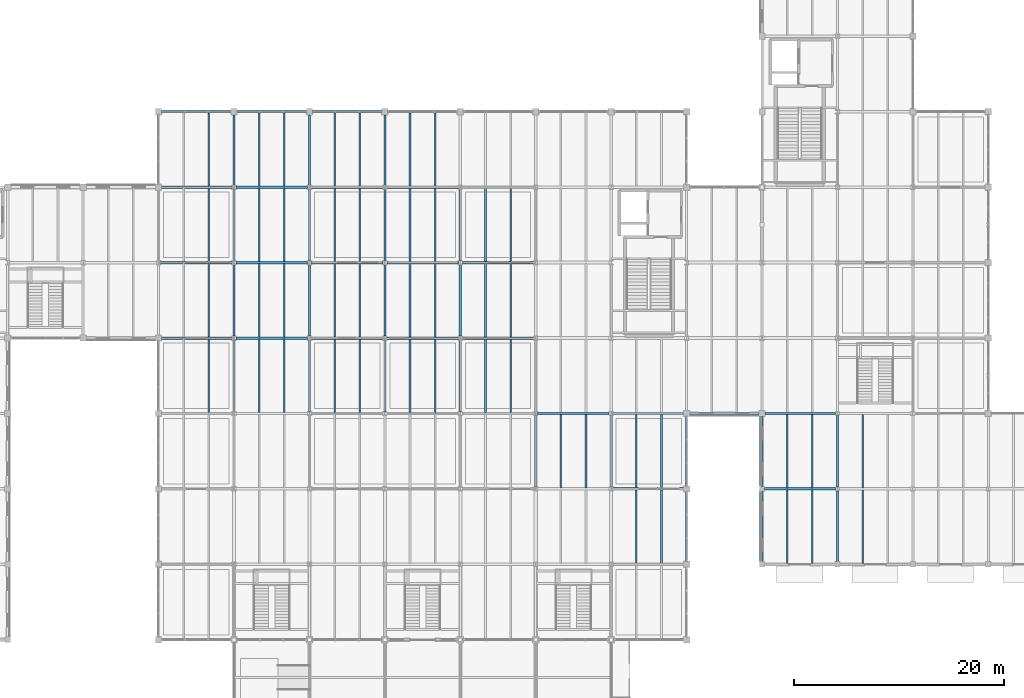
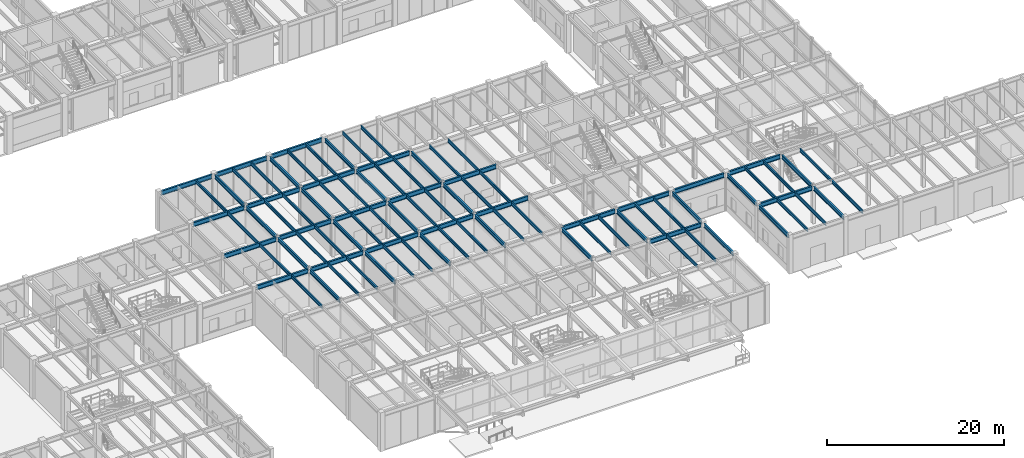
# One storey, part 22 of 97: 92 beams.
"""IFC4 building model written with IfcOpenShell, lengths in metres."""

from ifc_helpers import new_model, si_unit, direction, frame, origin, origin_2d, place, context, subcontext, project, spatial, i_section, extrude, material, material_profile, profile_set, type_object, element, save


model = new_model("IFC4")

# Units and contexts
model_context = context("Model", 3, precision=1e-05, world=origin(), true_north=direction((0.0, 1.0)))
body_context = subcontext(model_context, "Body", "Model", "MODEL_VIEW")
ifc_project = project(units=[si_unit("LENGTHUNIT", "METRE"), si_unit("AREAUNIT", "SQUARE_METRE"), si_unit("VOLUMEUNIT", "CUBIC_METRE"), si_unit("PLANEANGLEUNIT", "RADIAN"), si_unit("MASSUNIT", "GRAM", prefix="KILO")], contexts=[model_context])

# Site, building, storey
site_placement = place(None, origin())
site = spatial("IfcSite", under=ifc_project, at=site_placement, CompositionType="ELEMENT")
building_placement = place(site_placement, origin())
building = spatial("IfcBuilding", under=site, at=building_placement, Name="Sillqori Civic Hall", CompositionType="ELEMENT")
storey_placement = place(building_placement, origin())
storey = spatial("IfcBuildingStorey", under=building, at=storey_placement, Name="L01", CompositionType="ELEMENT", Elevation=0.0)

# Beams
ifc_material = material(Name="Steel ASTM A992", Category="steel")
ifc_material_profile_1 = material_profile(ifc_material, i_section(OverallWidth=0.2099609375, OverallDepth=0.532958984375, WebThickness=0.01025390625, FlangeThickness=0.015625, FilletRadius=0.013916015625, at=origin_2d()), Name="W21X62")
ifc_profile_set_1 = profile_set([ifc_material_profile_1], Name="Steel ASTM A992")
beam_type_1 = type_object("IfcBeamType", Name="BM-W21X62", PredefinedType="BEAM", material=ifc_profile_set_1)
for number, where, z_axis, x_axis, name in (
    (1, (72.0, 28.98193359375, 4.93359375), (0.0, 1.0, 0.0), (-1.0, 0.0, 0.0), "L01 girder Y 10-4"),
    (2, (72.0, 36.181884765625, 4.93359375), (0.0, 1.0, 0.0), (-1.0, 0.0, 0.0), "L01 girder Y 10-5"),
):
    element("IfcBeam", number, at=place(storey_placement, frame(where, z_axis=z_axis, x_axis=x_axis)), inside=storey, type_object=beam_type_1, Name=name, PredefinedType="BEAM", context=body_context, shape_type="SweptSolid", body=[
        extrude(i_section(OverallWidth=0.2099609375, OverallDepth=0.532958984375, WebThickness=0.01025390625, FlangeThickness=0.015625, FilletRadius=0.013916015625, at=origin_2d()), origin(), (0.0, 0.0, 1.0), 6.836181640625),
    ])
beam_1_placement = place(storey_placement, frame((72.0, 43.382080078125, 4.93359375), z_axis=(0.0, 1.0, 0.0), x_axis=(-1.0, 0.0, 0.0)))
element("IfcBeam", 3, at=beam_1_placement, inside=storey, type_object=beam_type_1, Name="L01 girder Y 10-6", PredefinedType="BEAM", context=body_context, shape_type="SweptSolid", body=[
    extrude(i_section(OverallWidth=0.2099609375, OverallDepth=0.532958984375, WebThickness=0.01025390625, FlangeThickness=0.015625, FilletRadius=0.013916015625, at=origin_2d()), origin(), (0.0, 0.0, 1.0), 6.8359375),
])
beam_2_placement = place(storey_placement, frame((72.0, 50.58203125, 4.93359375), z_axis=(0.0, 1.0, 0.0), x_axis=(-1.0, 0.0, 0.0)))
element("IfcBeam", 4, at=beam_2_placement, inside=storey, type_object=beam_type_1, Name="L01 girder Y 10-7", PredefinedType="BEAM", context=body_context, shape_type="SweptSolid", body=[
    extrude(i_section(OverallWidth=0.2099609375, OverallDepth=0.532958984375, WebThickness=0.01025390625, FlangeThickness=0.015625, FilletRadius=0.013916015625, at=origin_2d()), origin(), (0.0, 0.0, 1.0), 6.723876953125),
])
for number, where, z_axis, x_axis, name in (
    (5, (79.199951171875, 28.98193359375, 4.93359375), (0.0, 1.0, 0.0), (-1.0, 0.0, 0.0), "L01 girder Y 11-4"),
    (6, (79.199951171875, 36.181884765625, 4.93359375), (0.0, 1.0, 0.0), (-1.0, 0.0, 0.0), "L01 girder Y 11-5"),
):
    element("IfcBeam", number, at=place(storey_placement, frame(where, z_axis=z_axis, x_axis=x_axis)), inside=storey, type_object=beam_type_1, Name=name, PredefinedType="BEAM", context=body_context, shape_type="SweptSolid", body=[
        extrude(i_section(OverallWidth=0.2099609375, OverallDepth=0.532958984375, WebThickness=0.01025390625, FlangeThickness=0.015625, FilletRadius=0.013916015625, at=origin_2d()), origin(), (0.0, 0.0, 1.0), 6.836181640625),
    ])
beam_3_placement = place(storey_placement, frame((79.199951171875, 43.382080078125, 4.93359375), z_axis=(0.0, 1.0, 0.0), x_axis=(-1.0, 0.0, 0.0)))
element("IfcBeam", 7, at=beam_3_placement, inside=storey, type_object=beam_type_1, Name="L01 girder Y 11-6", PredefinedType="BEAM", context=body_context, shape_type="SweptSolid", body=[
    extrude(i_section(OverallWidth=0.2099609375, OverallDepth=0.532958984375, WebThickness=0.01025390625, FlangeThickness=0.015625, FilletRadius=0.013916015625, at=origin_2d()), origin(), (0.0, 0.0, 1.0), 6.8359375),
])
beam_4_placement = place(storey_placement, frame((79.199951171875, 50.58203125, 4.93359375), z_axis=(0.0, 1.0, 0.0), x_axis=(-1.0, 0.0, 0.0)))
element("IfcBeam", 8, at=beam_4_placement, inside=storey, type_object=beam_type_1, Name="L01 girder Y 11-7", PredefinedType="BEAM", context=body_context, shape_type="SweptSolid", body=[
    extrude(i_section(OverallWidth=0.2099609375, OverallDepth=0.532958984375, WebThickness=0.01025390625, FlangeThickness=0.015625, FilletRadius=0.013916015625, at=origin_2d()), origin(), (0.0, 0.0, 1.0), 6.723876953125),
])
for number, where, z_axis, x_axis, name in (
    (9, (86.39990234375, 28.98193359375, 4.93359375), (0.0, 1.0, 0.0), (-1.0, 0.0, 0.0), "L01 girder Y 12-4"),
    (10, (86.39990234375, 36.181884765625, 4.93359375), (0.0, 1.0, 0.0), (-1.0, 0.0, 0.0), "L01 girder Y 12-5"),
):
    element("IfcBeam", number, at=place(storey_placement, frame(where, z_axis=z_axis, x_axis=x_axis)), inside=storey, type_object=beam_type_1, Name=name, PredefinedType="BEAM", context=body_context, shape_type="SweptSolid", body=[
        extrude(i_section(OverallWidth=0.2099609375, OverallDepth=0.532958984375, WebThickness=0.01025390625, FlangeThickness=0.015625, FilletRadius=0.013916015625, at=origin_2d()), origin(), (0.0, 0.0, 1.0), 6.836181640625),
    ])
beam_5_placement = place(storey_placement, frame((86.39990234375, 43.382080078125, 4.93359375), z_axis=(0.0, 1.0, 0.0), x_axis=(-1.0, 0.0, 0.0)))
element("IfcBeam", 11, at=beam_5_placement, inside=storey, type_object=beam_type_1, Name="L01 girder Y 12-6", PredefinedType="BEAM", context=body_context, shape_type="SweptSolid", body=[
    extrude(i_section(OverallWidth=0.2099609375, OverallDepth=0.532958984375, WebThickness=0.01025390625, FlangeThickness=0.015625, FilletRadius=0.013916015625, at=origin_2d()), origin(), (0.0, 0.0, 1.0), 6.8359375),
])
beam_6_placement = place(storey_placement, frame((86.39990234375, 50.58203125, 4.93359375), z_axis=(0.0, 1.0, 0.0), x_axis=(-1.0, 0.0, 0.0)))
element("IfcBeam", 12, at=beam_6_placement, inside=storey, type_object=beam_type_1, Name="L01 girder Y 12-7", PredefinedType="BEAM", context=body_context, shape_type="SweptSolid", body=[
    extrude(i_section(OverallWidth=0.2099609375, OverallDepth=0.532958984375, WebThickness=0.01025390625, FlangeThickness=0.015625, FilletRadius=0.013916015625, at=origin_2d()), origin(), (0.0, 0.0, 1.0), 6.723876953125),
])
for number, where, z_axis, x_axis, name in (
    (13, (93.60009765625, 28.98193359375, 4.93359375), (0.0, 1.0, 0.0), (-1.0, 0.0, 0.0), "L01 girder Y 13-4"),
    (14, (93.60009765625, 36.181884765625, 4.93359375), (0.0, 1.0, 0.0), (-1.0, 0.0, 0.0), "L01 girder Y 13-5"),
):
    element("IfcBeam", number, at=place(storey_placement, frame(where, z_axis=z_axis, x_axis=x_axis)), inside=storey, type_object=beam_type_1, Name=name, PredefinedType="BEAM", context=body_context, shape_type="SweptSolid", body=[
        extrude(i_section(OverallWidth=0.2099609375, OverallDepth=0.532958984375, WebThickness=0.01025390625, FlangeThickness=0.015625, FilletRadius=0.013916015625, at=origin_2d()), origin(), (0.0, 0.0, 1.0), 6.836181640625),
    ])
for number, where, z_axis, x_axis, name in (
    (15, (93.60009765625, 43.382080078125, 4.93359375), (0.0, 1.0, 0.0), (-1.0, 0.0, 0.0), "L01 girder Y 13-6"),
    (16, (100.800048828125, 21.781982421875, 4.93359375), (0.0, 1.0, 0.0), (-1.0, 0.0, 0.0), "L01 girder Y 14-3"),
    (17, (108.0, 21.781982421875, 4.93359375), (0.0, 1.0, 0.0), (-1.0, 0.0, 0.0), "L01 girder Y 15-3"),
):
    element("IfcBeam", number, at=place(storey_placement, frame(where, z_axis=z_axis, x_axis=x_axis)), inside=storey, type_object=beam_type_1, Name=name, PredefinedType="BEAM", context=body_context, shape_type="SweptSolid", body=[
        extrude(i_section(OverallWidth=0.2099609375, OverallDepth=0.532958984375, WebThickness=0.01025390625, FlangeThickness=0.015625, FilletRadius=0.013916015625, at=origin_2d()), origin(), (0.0, 0.0, 1.0), 6.8359375),
    ])
beam_7_placement = place(storey_placement, frame((115.199951171875, 14.694091796875, 4.93359375), z_axis=(0.0, 1.0, 0.0), x_axis=(-1.0, 0.0, 0.0)))
element("IfcBeam", 18, at=beam_7_placement, inside=storey, type_object=beam_type_1, Name="L01 girder Y 16-2", PredefinedType="BEAM", context=body_context, shape_type="SweptSolid", body=[
    extrude(i_section(OverallWidth=0.2099609375, OverallDepth=0.532958984375, WebThickness=0.01025390625, FlangeThickness=0.015625, FilletRadius=0.013916015625, at=origin_2d()), origin(), (0.0, 0.0, 1.0), 6.61181640625),
])
beam_8_placement = place(storey_placement, frame((115.199951171875, 21.89404296875, 4.93359375), z_axis=(0.0, 1.0, 0.0), x_axis=(-1.0, 0.0, 0.0)))
element("IfcBeam", 19, at=beam_8_placement, inside=storey, type_object=beam_type_1, Name="L01 girder Y 16-3", PredefinedType="BEAM", context=body_context, shape_type="SweptSolid", body=[
    extrude(i_section(OverallWidth=0.2099609375, OverallDepth=0.532958984375, WebThickness=0.01025390625, FlangeThickness=0.015625, FilletRadius=0.013916015625, at=origin_2d()), origin(), (0.0, 0.0, 1.0), 6.612060546875),
])
beam_9_placement = place(storey_placement, frame((122.39990234375, 14.64404296875, 4.93359375), z_axis=(0.0, 1.0, 0.0), x_axis=(-1.0, 0.0, 0.0)))
element("IfcBeam", 20, at=beam_9_placement, inside=storey, type_object=beam_type_1, Name="L01 girder Y 17-2", PredefinedType="BEAM", context=body_context, shape_type="SweptSolid", body=[
    extrude(i_section(OverallWidth=0.2099609375, OverallDepth=0.532958984375, WebThickness=0.01025390625, FlangeThickness=0.015625, FilletRadius=0.013916015625, at=origin_2d()), origin(), (0.0, 0.0, 1.0), 6.7119140625),
])
beam_10_placement = place(storey_placement, frame((122.39990234375, 21.843994140625, 4.93359375), z_axis=(0.0, 1.0, 0.0), x_axis=(-1.0, 0.0, 0.0)))
element("IfcBeam", 21, at=beam_10_placement, inside=storey, type_object=beam_type_1, Name="L01 girder Y 17-3", PredefinedType="BEAM", context=body_context, shape_type="SweptSolid", body=[
    extrude(i_section(OverallWidth=0.2099609375, OverallDepth=0.532958984375, WebThickness=0.01025390625, FlangeThickness=0.015625, FilletRadius=0.013916015625, at=origin_2d()), origin(), (0.0, 0.0, 1.0), 6.662109375),
])
beam_11_placement = place(storey_placement, frame((129.60009765625, 14.64404296875, 4.93359375), z_axis=(0.0, 1.0, 0.0), x_axis=(-1.0, 0.0, 0.0)))
element("IfcBeam", 22, at=beam_11_placement, inside=storey, type_object=beam_type_1, Name="L01 girder Y 18-2", PredefinedType="BEAM", context=body_context, shape_type="SweptSolid", body=[
    extrude(i_section(OverallWidth=0.2099609375, OverallDepth=0.532958984375, WebThickness=0.01025390625, FlangeThickness=0.015625, FilletRadius=0.013916015625, at=origin_2d()), origin(), (0.0, 0.0, 1.0), 6.781494140625),
])
beam_12_placement = place(storey_placement, frame((129.60009765625, 21.7744140625, 4.93359375), z_axis=(0.0, 1.0, 0.0), x_axis=(-1.0, 0.0, 0.0)))
element("IfcBeam", 23, at=beam_12_placement, inside=storey, type_object=beam_type_1, Name="L01 girder Y 18-3", PredefinedType="BEAM", context=body_context, shape_type="SweptSolid", body=[
    extrude(i_section(OverallWidth=0.2099609375, OverallDepth=0.532958984375, WebThickness=0.01025390625, FlangeThickness=0.015625, FilletRadius=0.013916015625, at=origin_2d()), origin(), (0.0, 0.0, 1.0), 6.84765625),
])
ifc_material_profile_2 = material_profile(ifc_material, i_section(OverallWidth=0.22802734375, OverallDepth=0.60205078125, WebThickness=0.010498046875, FlangeThickness=0.014892578125, FilletRadius=0.014892578125, at=origin_2d()), Name="W24X68")
ifc_profile_set_2 = profile_set([ifc_material_profile_2], Name="Steel ASTM A992")
beam_type_2 = type_object("IfcBeamType", Name="BM-W24X68", PredefinedType="BEAM", material=ifc_profile_set_2)
beam_13_placement = place(storey_placement, frame((65.093994140625, 36.0, 4.89892578125), z_axis=(1.0, 0.0, 0.0), x_axis=(0.0, 1.0, 0.0)))
element("IfcBeam", 24, at=beam_13_placement, inside=storey, type_object=beam_type_2, Name="L01 girder X 9-5", PredefinedType="BEAM", context=body_context, shape_type="SweptSolid", body=[
    extrude(i_section(OverallWidth=0.22802734375, OverallDepth=0.60205078125, WebThickness=0.010498046875, FlangeThickness=0.014892578125, FilletRadius=0.014892578125, at=origin_2d()), origin(), (0.0, 0.0, 1.0), 6.715087890625),
])
beam_14_placement = place(storey_placement, frame((64.990966796875, 43.199951171875, 4.89892578125), z_axis=(1.0, 0.0, 0.0), x_axis=(0.0, 1.0, 0.0)))
element("IfcBeam", 25, at=beam_14_placement, inside=storey, type_object=beam_type_2, Name="L01 girder X 9-6", PredefinedType="BEAM", context=body_context, shape_type="SweptSolid", body=[
    extrude(i_section(OverallWidth=0.22802734375, OverallDepth=0.60205078125, WebThickness=0.010498046875, FlangeThickness=0.014892578125, FilletRadius=0.014892578125, at=origin_2d()), origin(), (0.0, 0.0, 1.0), 6.818115234375),
])
beam_15_placement = place(storey_placement, frame((65.093994140625, 50.39990234375, 4.89892578125), z_axis=(1.0, 0.0, 0.0), x_axis=(0.0, 1.0, 0.0)))
element("IfcBeam", 26, at=beam_15_placement, inside=storey, type_object=beam_type_2, Name="L01 girder X 9-7", PredefinedType="BEAM", context=body_context, shape_type="SweptSolid", body=[
    extrude(i_section(OverallWidth=0.22802734375, OverallDepth=0.60205078125, WebThickness=0.010498046875, FlangeThickness=0.014892578125, FilletRadius=0.014892578125, at=origin_2d()), origin(), (0.0, 0.0, 1.0), 6.715087890625),
])
beam_16_placement = place(storey_placement, frame((65.093994140625, 57.60009765625, 4.89892578125), z_axis=(1.0, 0.0, 0.0), x_axis=(0.0, 1.0, 0.0)))
element("IfcBeam", 27, at=beam_16_placement, inside=storey, type_object=beam_type_2, Name="L01 girder X 9-8", PredefinedType="BEAM", context=body_context, shape_type="SweptSolid", body=[
    extrude(i_section(OverallWidth=0.22802734375, OverallDepth=0.60205078125, WebThickness=0.010498046875, FlangeThickness=0.014892578125, FilletRadius=0.014892578125, at=origin_2d()), origin(), (0.0, 0.0, 1.0), 6.612060546875),
])
for number, where, z_axis, x_axis, name in (
    (28, (72.19091796875, 36.0, 4.89892578125), (1.0, 0.0, 0.0), (0.0, 1.0, 0.0), "L01 girder X 10-5"),
    (29, (72.19091796875, 43.199951171875, 4.89892578125), (1.0, 0.0, 0.0), (0.0, 1.0, 0.0), "L01 girder X 10-6"),
    (30, (72.19091796875, 50.39990234375, 4.89892578125), (1.0, 0.0, 0.0), (0.0, 1.0, 0.0), "L01 girder X 10-7"),
):
    element("IfcBeam", number, at=place(storey_placement, frame(where, z_axis=z_axis, x_axis=x_axis)), inside=storey, type_object=beam_type_2, Name=name, PredefinedType="BEAM", context=body_context, shape_type="SweptSolid", body=[
        extrude(i_section(OverallWidth=0.22802734375, OverallDepth=0.60205078125, WebThickness=0.010498046875, FlangeThickness=0.014892578125, FilletRadius=0.014892578125, at=origin_2d()), origin(), (0.0, 0.0, 1.0), 6.818115234375),
    ])
beam_17_placement = place(storey_placement, frame((72.2939453125, 57.60009765625, 4.89892578125), z_axis=(1.0, 0.0, 0.0), x_axis=(0.0, 1.0, 0.0)))
element("IfcBeam", 31, at=beam_17_placement, inside=storey, type_object=beam_type_2, Name="L01 girder X 10-8", PredefinedType="BEAM", context=body_context, shape_type="SweptSolid", body=[
    extrude(i_section(OverallWidth=0.22802734375, OverallDepth=0.60205078125, WebThickness=0.010498046875, FlangeThickness=0.014892578125, FilletRadius=0.014892578125, at=origin_2d()), origin(), (0.0, 0.0, 1.0), 6.612060546875),
])
for number, where, z_axis, x_axis, name in (
    (32, (79.39111328125, 36.0, 4.89892578125), (1.0, 0.0, 0.0), (0.0, 1.0, 0.0), "L01 girder X 11-5"),
    (33, (79.39111328125, 43.199951171875, 4.89892578125), (1.0, 0.0, 0.0), (0.0, 1.0, 0.0), "L01 girder X 11-6"),
    (34, (79.39111328125, 50.39990234375, 4.89892578125), (1.0, 0.0, 0.0), (0.0, 1.0, 0.0), "L01 girder X 11-7"),
):
    element("IfcBeam", number, at=place(storey_placement, frame(where, z_axis=z_axis, x_axis=x_axis)), inside=storey, type_object=beam_type_2, Name=name, PredefinedType="BEAM", context=body_context, shape_type="SweptSolid", body=[
        extrude(i_section(OverallWidth=0.22802734375, OverallDepth=0.60205078125, WebThickness=0.010498046875, FlangeThickness=0.014892578125, FilletRadius=0.014892578125, at=origin_2d()), origin(), (0.0, 0.0, 1.0), 6.81787109375),
    ])
beam_18_placement = place(storey_placement, frame((79.493896484375, 57.60009765625, 4.89892578125), z_axis=(1.0, 0.0, 0.0), x_axis=(0.0, 1.0, 0.0)))
element("IfcBeam", 35, at=beam_18_placement, inside=storey, type_object=beam_type_2, Name="L01 girder X 11-8", PredefinedType="BEAM", context=body_context, shape_type="SweptSolid", body=[
    extrude(i_section(OverallWidth=0.22802734375, OverallDepth=0.60205078125, WebThickness=0.010498046875, FlangeThickness=0.014892578125, FilletRadius=0.014892578125, at=origin_2d()), origin(), (0.0, 0.0, 1.0), 6.612060546875),
])
for number, where, z_axis, x_axis, name in (
    (36, (86.591064453125, 36.0, 4.89892578125), (1.0, 0.0, 0.0), (0.0, 1.0, 0.0), "L01 girder X 12-5"),
    (37, (86.591064453125, 43.199951171875, 4.89892578125), (1.0, 0.0, 0.0), (0.0, 1.0, 0.0), "L01 girder X 12-6"),
    (38, (86.591064453125, 50.39990234375, 4.89892578125), (1.0, 0.0, 0.0), (0.0, 1.0, 0.0), "L01 girder X 12-7"),
    (39, (93.791015625, 36.0, 4.89892578125), (1.0, 0.0, 0.0), (0.0, 1.0, 0.0), "L01 girder X 13-5"),
    (40, (93.791015625, 43.199951171875, 4.89892578125), (1.0, 0.0, 0.0), (0.0, 1.0, 0.0), "L01 girder X 13-6"),
):
    element("IfcBeam", number, at=place(storey_placement, frame(where, z_axis=z_axis, x_axis=x_axis)), inside=storey, type_object=beam_type_2, Name=name, PredefinedType="BEAM", context=body_context, shape_type="SweptSolid", body=[
        extrude(i_section(OverallWidth=0.22802734375, OverallDepth=0.60205078125, WebThickness=0.010498046875, FlangeThickness=0.014892578125, FilletRadius=0.014892578125, at=origin_2d()), origin(), (0.0, 0.0, 1.0), 6.81787109375),
    ])
beam_19_placement = place(storey_placement, frame((100.990966796875, 28.800048828125, 4.89892578125), z_axis=(1.0, 0.0, 0.0), x_axis=(0.0, 1.0, 0.0)))
element("IfcBeam", 41, at=beam_19_placement, inside=storey, type_object=beam_type_2, Name="L01 girder X 14-4", PredefinedType="BEAM", context=body_context, shape_type="SweptSolid", body=[
    extrude(i_section(OverallWidth=0.22802734375, OverallDepth=0.60205078125, WebThickness=0.010498046875, FlangeThickness=0.014892578125, FilletRadius=0.014892578125, at=origin_2d()), origin(), (0.0, 0.0, 1.0), 6.818115234375),
])
for number, where, z_axis, x_axis, name in (
    (42, (108.19091796875, 21.60009765625, 4.89892578125), (1.0, 0.0, 0.0), (0.0, 1.0, 0.0), "L01 girder X 15-3"),
    (43, (108.19091796875, 28.800048828125, 4.89892578125), (1.0, 0.0, 0.0), (0.0, 1.0, 0.0), "L01 girder X 15-4"),
):
    element("IfcBeam", number, at=place(storey_placement, frame(where, z_axis=z_axis, x_axis=x_axis)), inside=storey, type_object=beam_type_2, Name=name, PredefinedType="BEAM", context=body_context, shape_type="SweptSolid", body=[
        extrude(i_section(OverallWidth=0.22802734375, OverallDepth=0.60205078125, WebThickness=0.010498046875, FlangeThickness=0.014892578125, FilletRadius=0.014892578125, at=origin_2d()), origin(), (0.0, 0.0, 1.0), 6.715087890625),
    ])
beam_20_placement = place(storey_placement, frame((115.493896484375, 28.800048828125, 4.89892578125), z_axis=(1.0, 0.0, 0.0), x_axis=(0.0, 1.0, 0.0)))
element("IfcBeam", 44, at=beam_20_placement, inside=storey, type_object=beam_type_2, Name="L01 girder X 16-4", PredefinedType="BEAM", context=body_context, shape_type="SweptSolid", body=[
    extrude(i_section(OverallWidth=0.22802734375, OverallDepth=0.60205078125, WebThickness=0.010498046875, FlangeThickness=0.014892578125, FilletRadius=0.014892578125, at=origin_2d()), origin(), (0.0, 0.0, 1.0), 6.612060546875),
])
beam_21_placement = place(storey_placement, frame((122.64404296875, 21.60009765625, 4.89892578125), z_axis=(1.0, 0.0, 0.0), x_axis=(0.0, 1.0, 0.0)))
element("IfcBeam", 45, at=beam_21_placement, inside=storey, type_object=beam_type_2, Name="L01 girder X 17-3", PredefinedType="BEAM", context=body_context, shape_type="SweptSolid", body=[
    extrude(i_section(OverallWidth=0.22802734375, OverallDepth=0.60205078125, WebThickness=0.010498046875, FlangeThickness=0.014892578125, FilletRadius=0.014892578125, at=origin_2d()), origin(), (0.0, 0.0, 1.0), 6.7763671875),
])
beam_22_placement = place(storey_placement, frame((122.694091796875, 28.800048828125, 4.89892578125), z_axis=(1.0, 0.0, 0.0), x_axis=(0.0, 1.0, 0.0)))
element("IfcBeam", 46, at=beam_22_placement, inside=storey, type_object=beam_type_2, Name="L01 girder X 17-4", PredefinedType="BEAM", context=body_context, shape_type="SweptSolid", body=[
    extrude(i_section(OverallWidth=0.22802734375, OverallDepth=0.60205078125, WebThickness=0.010498046875, FlangeThickness=0.014892578125, FilletRadius=0.014892578125, at=origin_2d()), origin(), (0.0, 0.0, 1.0), 6.725341796875),
])
ifc_material_profile_3 = material_profile(ifc_material, i_section(OverallWidth=0.153076171875, OverallDepth=0.455078125, WebThickness=0.008056640625, FlangeThickness=0.01318359375, FilletRadius=0.012939453125, at=origin_2d()), Name="W18X40")
ifc_profile_set_3 = profile_set([ifc_material_profile_3], Name="Steel ASTM A992")
beam_type_3 = type_object("IfcBeamType", Name="JS-W18X40", PredefinedType="JOIST", material=ifc_profile_set_3)
for number, where, z_axis, x_axis, name in (
    (47, (69.60009765625, 28.89501953125, 4.972412109375), (0.0, 1.0, 0.0), (-1.0, 0.0, 0.0), "L01 composite joist 9-4.2"),
    (48, (69.60009765625, 36.094970703125, 4.972412109375), (0.0, 1.0, 0.0), (-1.0, 0.0, 0.0), "L01 composite joist 9-5.2"),
    (49, (69.60009765625, 43.294921875, 4.972412109375), (0.0, 1.0, 0.0), (-1.0, 0.0, 0.0), "L01 composite joist 9-6.2"),
):
    element("IfcBeam", number, at=place(storey_placement, frame(where, z_axis=z_axis, x_axis=x_axis)), inside=storey, type_object=beam_type_3, Name=name, PredefinedType="JOIST", context=body_context, shape_type="SweptSolid", body=[
        extrude(i_section(OverallWidth=0.153076171875, OverallDepth=0.455078125, WebThickness=0.008056640625, FlangeThickness=0.01318359375, FilletRadius=0.012939453125, at=origin_2d()), origin(), (0.0, 0.0, 1.0), 7.010009765625),
    ])
beam_23_placement = place(storey_placement, frame((69.60009765625, 50.4951171875, 4.972412109375), z_axis=(0.0, 1.0, 0.0), x_axis=(-1.0, 0.0, 0.0)))
element("IfcBeam", 50, at=beam_23_placement, inside=storey, type_object=beam_type_3, Name="L01 composite joist 9-7.2", PredefinedType="JOIST", context=body_context, shape_type="SweptSolid", body=[
    extrude(i_section(OverallWidth=0.153076171875, OverallDepth=0.455078125, WebThickness=0.008056640625, FlangeThickness=0.01318359375, FilletRadius=0.012939453125, at=origin_2d()), origin(), (0.0, 0.0, 1.0), 7.009765625),
])
for number, where, z_axis, x_axis, name in (
    (51, (74.39990234375, 28.89501953125, 4.972412109375), (0.0, 1.0, 0.0), (-1.0, 0.0, 0.0), "L01 composite joist 10-4.1"),
    (52, (76.800048828125, 28.89501953125, 4.972412109375), (0.0, 1.0, 0.0), (-1.0, 0.0, 0.0), "L01 composite joist 10-4.2"),
    (53, (74.39990234375, 36.094970703125, 4.972412109375), (0.0, 1.0, 0.0), (-1.0, 0.0, 0.0), "L01 composite joist 10-5.1"),
    (54, (76.800048828125, 36.094970703125, 4.972412109375), (0.0, 1.0, 0.0), (-1.0, 0.0, 0.0), "L01 composite joist 10-5.2"),
    (55, (74.39990234375, 43.294921875, 4.972412109375), (0.0, 1.0, 0.0), (-1.0, 0.0, 0.0), "L01 composite joist 10-6.1"),
    (56, (76.800048828125, 43.294921875, 4.972412109375), (0.0, 1.0, 0.0), (-1.0, 0.0, 0.0), "L01 composite joist 10-6.2"),
):
    element("IfcBeam", number, at=place(storey_placement, frame(where, z_axis=z_axis, x_axis=x_axis)), inside=storey, type_object=beam_type_3, Name=name, PredefinedType="JOIST", context=body_context, shape_type="SweptSolid", body=[
        extrude(i_section(OverallWidth=0.153076171875, OverallDepth=0.455078125, WebThickness=0.008056640625, FlangeThickness=0.01318359375, FilletRadius=0.012939453125, at=origin_2d()), origin(), (0.0, 0.0, 1.0), 7.010009765625),
    ])
for number, where, z_axis, x_axis, name in (
    (57, (74.39990234375, 50.4951171875, 4.972412109375), (0.0, 1.0, 0.0), (-1.0, 0.0, 0.0), "L01 composite joist 10-7.1"),
    (58, (76.800048828125, 50.4951171875, 4.972412109375), (0.0, 1.0, 0.0), (-1.0, 0.0, 0.0), "L01 composite joist 10-7.2"),
):
    element("IfcBeam", number, at=place(storey_placement, frame(where, z_axis=z_axis, x_axis=x_axis)), inside=storey, type_object=beam_type_3, Name=name, PredefinedType="JOIST", context=body_context, shape_type="SweptSolid", body=[
        extrude(i_section(OverallWidth=0.153076171875, OverallDepth=0.455078125, WebThickness=0.008056640625, FlangeThickness=0.01318359375, FilletRadius=0.012939453125, at=origin_2d()), origin(), (0.0, 0.0, 1.0), 7.009765625),
    ])
for number, where, z_axis, x_axis, name in (
    (59, (81.60009765625, 28.89501953125, 4.972412109375), (0.0, 1.0, 0.0), (-1.0, 0.0, 0.0), "L01 composite joist 11-4.1"),
    (60, (84.0, 28.89501953125, 4.972412109375), (0.0, 1.0, 0.0), (-1.0, 0.0, 0.0), "L01 composite joist 11-4.2"),
    (61, (81.60009765625, 36.094970703125, 4.972412109375), (0.0, 1.0, 0.0), (-1.0, 0.0, 0.0), "L01 composite joist 11-5.1"),
    (62, (84.0, 36.094970703125, 4.972412109375), (0.0, 1.0, 0.0), (-1.0, 0.0, 0.0), "L01 composite joist 11-5.2"),
    (63, (81.60009765625, 43.294921875, 4.972412109375), (0.0, 1.0, 0.0), (-1.0, 0.0, 0.0), "L01 composite joist 11-6.1"),
    (64, (84.0, 43.294921875, 4.972412109375), (0.0, 1.0, 0.0), (-1.0, 0.0, 0.0), "L01 composite joist 11-6.2"),
):
    element("IfcBeam", number, at=place(storey_placement, frame(where, z_axis=z_axis, x_axis=x_axis)), inside=storey, type_object=beam_type_3, Name=name, PredefinedType="JOIST", context=body_context, shape_type="SweptSolid", body=[
        extrude(i_section(OverallWidth=0.153076171875, OverallDepth=0.455078125, WebThickness=0.008056640625, FlangeThickness=0.01318359375, FilletRadius=0.012939453125, at=origin_2d()), origin(), (0.0, 0.0, 1.0), 7.010009765625),
    ])
for number, where, z_axis, x_axis, name in (
    (65, (81.60009765625, 50.4951171875, 4.972412109375), (0.0, 1.0, 0.0), (-1.0, 0.0, 0.0), "L01 composite joist 11-7.1"),
    (66, (84.0, 50.4951171875, 4.972412109375), (0.0, 1.0, 0.0), (-1.0, 0.0, 0.0), "L01 composite joist 11-7.2"),
):
    element("IfcBeam", number, at=place(storey_placement, frame(where, z_axis=z_axis, x_axis=x_axis)), inside=storey, type_object=beam_type_3, Name=name, PredefinedType="JOIST", context=body_context, shape_type="SweptSolid", body=[
        extrude(i_section(OverallWidth=0.153076171875, OverallDepth=0.455078125, WebThickness=0.008056640625, FlangeThickness=0.01318359375, FilletRadius=0.012939453125, at=origin_2d()), origin(), (0.0, 0.0, 1.0), 7.009765625),
    ])
for number, where, z_axis, x_axis, name in (
    (67, (88.800048828125, 28.89501953125, 4.972412109375), (0.0, 1.0, 0.0), (-1.0, 0.0, 0.0), "L01 composite joist 12-4.1"),
    (68, (91.199951171875, 28.89501953125, 4.972412109375), (0.0, 1.0, 0.0), (-1.0, 0.0, 0.0), "L01 composite joist 12-4.2"),
    (69, (88.800048828125, 36.094970703125, 4.972412109375), (0.0, 1.0, 0.0), (-1.0, 0.0, 0.0), "L01 composite joist 12-5.1"),
    (70, (91.199951171875, 36.094970703125, 4.972412109375), (0.0, 1.0, 0.0), (-1.0, 0.0, 0.0), "L01 composite joist 12-5.2"),
    (71, (88.800048828125, 43.294921875, 4.972412109375), (0.0, 1.0, 0.0), (-1.0, 0.0, 0.0), "L01 composite joist 12-6.1"),
    (72, (91.199951171875, 43.294921875, 4.972412109375), (0.0, 1.0, 0.0), (-1.0, 0.0, 0.0), "L01 composite joist 12-6.2"),
):
    element("IfcBeam", number, at=place(storey_placement, frame(where, z_axis=z_axis, x_axis=x_axis)), inside=storey, type_object=beam_type_3, Name=name, PredefinedType="JOIST", context=body_context, shape_type="SweptSolid", body=[
        extrude(i_section(OverallWidth=0.153076171875, OverallDepth=0.455078125, WebThickness=0.008056640625, FlangeThickness=0.01318359375, FilletRadius=0.012939453125, at=origin_2d()), origin(), (0.0, 0.0, 1.0), 7.010009765625),
    ])
for number, where, z_axis, x_axis, name in (
    (73, (88.800048828125, 50.4951171875, 4.972412109375), (0.0, 1.0, 0.0), (-1.0, 0.0, 0.0), "L01 composite joist 12-7.1"),
    (74, (91.199951171875, 50.4951171875, 4.972412109375), (0.0, 1.0, 0.0), (-1.0, 0.0, 0.0), "L01 composite joist 12-7.2"),
):
    element("IfcBeam", number, at=place(storey_placement, frame(where, z_axis=z_axis, x_axis=x_axis)), inside=storey, type_object=beam_type_3, Name=name, PredefinedType="JOIST", context=body_context, shape_type="SweptSolid", body=[
        extrude(i_section(OverallWidth=0.153076171875, OverallDepth=0.455078125, WebThickness=0.008056640625, FlangeThickness=0.01318359375, FilletRadius=0.012939453125, at=origin_2d()), origin(), (0.0, 0.0, 1.0), 7.009765625),
    ])
for number, where, z_axis, x_axis, name in (
    (75, (96.0, 28.89501953125, 4.972412109375), (0.0, 1.0, 0.0), (-1.0, 0.0, 0.0), "L01 composite joist 13-4.1"),
    (76, (98.39990234375, 28.89501953125, 4.972412109375), (0.0, 1.0, 0.0), (-1.0, 0.0, 0.0), "L01 composite joist 13-4.2"),
    (77, (96.0, 36.094970703125, 4.972412109375), (0.0, 1.0, 0.0), (-1.0, 0.0, 0.0), "L01 composite joist 13-5.1"),
    (78, (98.39990234375, 36.094970703125, 4.972412109375), (0.0, 1.0, 0.0), (-1.0, 0.0, 0.0), "L01 composite joist 13-5.2"),
    (79, (96.0, 43.294921875, 4.972412109375), (0.0, 1.0, 0.0), (-1.0, 0.0, 0.0), "L01 composite joist 13-6.1"),
    (80, (98.39990234375, 43.294921875, 4.972412109375), (0.0, 1.0, 0.0), (-1.0, 0.0, 0.0), "L01 composite joist 13-6.2"),
    (81, (103.199951171875, 21.695068359375, 4.972412109375), (0.0, 1.0, 0.0), (-1.0, 0.0, 0.0), "L01 composite joist 14-3.1"),
    (82, (105.60009765625, 21.695068359375, 4.972412109375), (0.0, 1.0, 0.0), (-1.0, 0.0, 0.0), "L01 composite joist 14-3.2"),
):
    element("IfcBeam", number, at=place(storey_placement, frame(where, z_axis=z_axis, x_axis=x_axis)), inside=storey, type_object=beam_type_3, Name=name, PredefinedType="JOIST", context=body_context, shape_type="SweptSolid", body=[
        extrude(i_section(OverallWidth=0.153076171875, OverallDepth=0.455078125, WebThickness=0.008056640625, FlangeThickness=0.01318359375, FilletRadius=0.012939453125, at=origin_2d()), origin(), (0.0, 0.0, 1.0), 7.010009765625),
    ])
for number, where, z_axis, x_axis, name in (
    (83, (110.39990234375, 14.4951171875, 4.972412109375), (0.0, 1.0, 0.0), (-1.0, 0.0, 0.0), "L01 composite joist 15-2.1"),
    (84, (112.800048828125, 14.4951171875, 4.972412109375), (0.0, 1.0, 0.0), (-1.0, 0.0, 0.0), "L01 composite joist 15-2.2"),
):
    element("IfcBeam", number, at=place(storey_placement, frame(where, z_axis=z_axis, x_axis=x_axis)), inside=storey, type_object=beam_type_3, Name=name, PredefinedType="JOIST", context=body_context, shape_type="SweptSolid", body=[
        extrude(i_section(OverallWidth=0.153076171875, OverallDepth=0.455078125, WebThickness=0.008056640625, FlangeThickness=0.01318359375, FilletRadius=0.012939453125, at=origin_2d()), origin(), (0.0, 0.0, 1.0), 7.009765625),
    ])
for number, where, z_axis, x_axis, name in (
    (85, (110.39990234375, 21.695068359375, 4.972412109375), (0.0, 1.0, 0.0), (-1.0, 0.0, 0.0), "L01 composite joist 15-3.1"),
    (86, (112.800048828125, 21.695068359375, 4.972412109375), (0.0, 1.0, 0.0), (-1.0, 0.0, 0.0), "L01 composite joist 15-3.2"),
):
    element("IfcBeam", number, at=place(storey_placement, frame(where, z_axis=z_axis, x_axis=x_axis)), inside=storey, type_object=beam_type_3, Name=name, PredefinedType="JOIST", context=body_context, shape_type="SweptSolid", body=[
        extrude(i_section(OverallWidth=0.153076171875, OverallDepth=0.455078125, WebThickness=0.008056640625, FlangeThickness=0.01318359375, FilletRadius=0.012939453125, at=origin_2d()), origin(), (0.0, 0.0, 1.0), 7.010009765625),
    ])
for number, where, z_axis, x_axis, name in (
    (87, (124.800048828125, 14.4951171875, 4.972412109375), (0.0, 1.0, 0.0), (-1.0, 0.0, 0.0), "L01 composite joist 17-2.1"),
    (88, (127.199951171875, 14.4951171875, 4.972412109375), (0.0, 1.0, 0.0), (-1.0, 0.0, 0.0), "L01 composite joist 17-2.2"),
):
    element("IfcBeam", number, at=place(storey_placement, frame(where, z_axis=z_axis, x_axis=x_axis)), inside=storey, type_object=beam_type_3, Name=name, PredefinedType="JOIST", context=body_context, shape_type="SweptSolid", body=[
        extrude(i_section(OverallWidth=0.153076171875, OverallDepth=0.455078125, WebThickness=0.008056640625, FlangeThickness=0.01318359375, FilletRadius=0.012939453125, at=origin_2d()), origin(), (0.0, 0.0, 1.0), 7.009765625),
    ])
for number, where, z_axis, x_axis, name in (
    (89, (124.800048828125, 21.695068359375, 4.972412109375), (0.0, 1.0, 0.0), (-1.0, 0.0, 0.0), "L01 composite joist 17-3.1"),
    (90, (127.199951171875, 21.695068359375, 4.972412109375), (0.0, 1.0, 0.0), (-1.0, 0.0, 0.0), "L01 composite joist 17-3.2"),
):
    element("IfcBeam", number, at=place(storey_placement, frame(where, z_axis=z_axis, x_axis=x_axis)), inside=storey, type_object=beam_type_3, Name=name, PredefinedType="JOIST", context=body_context, shape_type="SweptSolid", body=[
        extrude(i_section(OverallWidth=0.153076171875, OverallDepth=0.455078125, WebThickness=0.008056640625, FlangeThickness=0.01318359375, FilletRadius=0.012939453125, at=origin_2d()), origin(), (0.0, 0.0, 1.0), 7.010009765625),
    ])
beam_24_placement = place(storey_placement, frame((132.0, 14.4951171875, 4.972412109375), z_axis=(0.0, 1.0, 0.0), x_axis=(-1.0, 0.0, 0.0)))
element("IfcBeam", 91, at=beam_24_placement, inside=storey, type_object=beam_type_3, Name="L01 composite joist 18-2.1", PredefinedType="JOIST", context=body_context, shape_type="SweptSolid", body=[
    extrude(i_section(OverallWidth=0.153076171875, OverallDepth=0.455078125, WebThickness=0.008056640625, FlangeThickness=0.01318359375, FilletRadius=0.012939453125, at=origin_2d()), origin(), (0.0, 0.0, 1.0), 7.009765625),
])
beam_25_placement = place(storey_placement, frame((132.0, 21.695068359375, 4.972412109375), z_axis=(0.0, 1.0, 0.0), x_axis=(-1.0, 0.0, 0.0)))
element("IfcBeam", 92, at=beam_25_placement, inside=storey, type_object=beam_type_3, Name="L01 composite joist 18-3.1", PredefinedType="JOIST", context=body_context, shape_type="SweptSolid", body=[
    extrude(i_section(OverallWidth=0.153076171875, OverallDepth=0.455078125, WebThickness=0.008056640625, FlangeThickness=0.01318359375, FilletRadius=0.012939453125, at=origin_2d()), origin(), (0.0, 0.0, 1.0), 7.010009765625),
])

save(model, "model.ifc")
